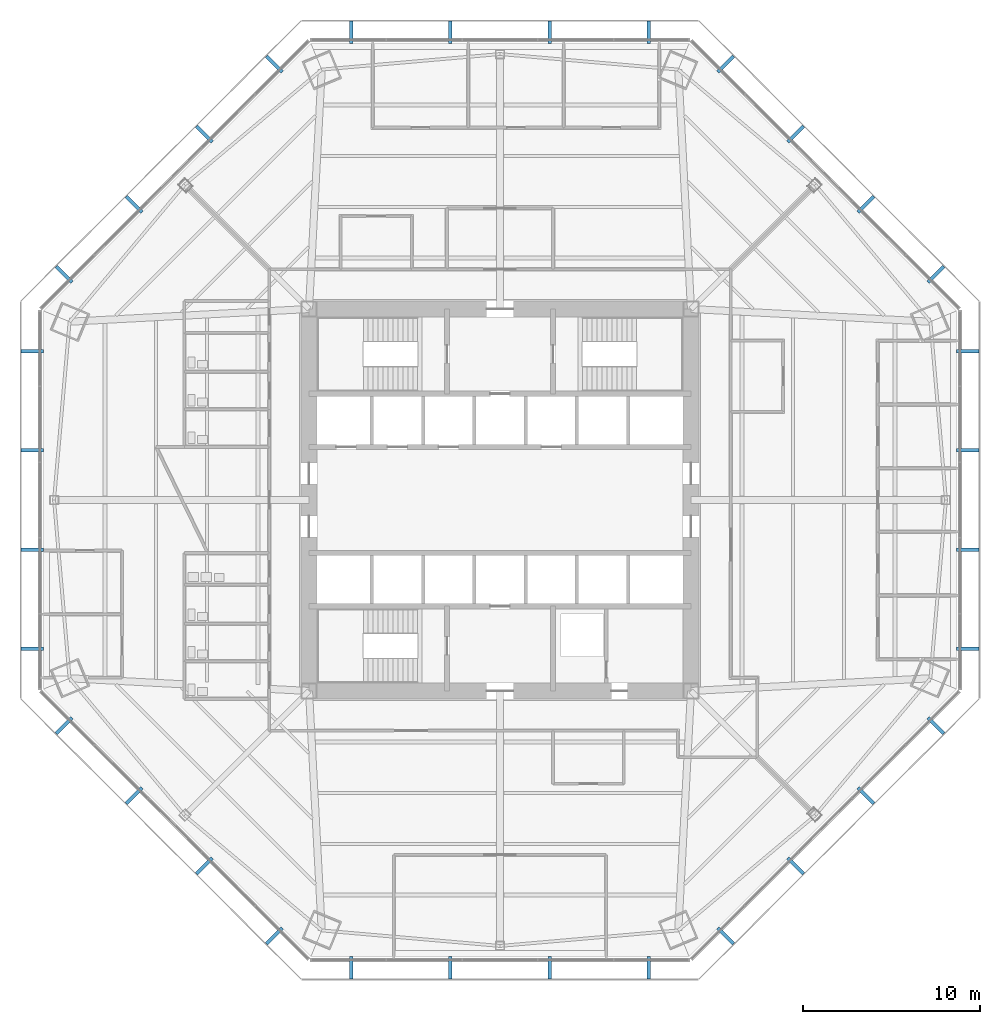
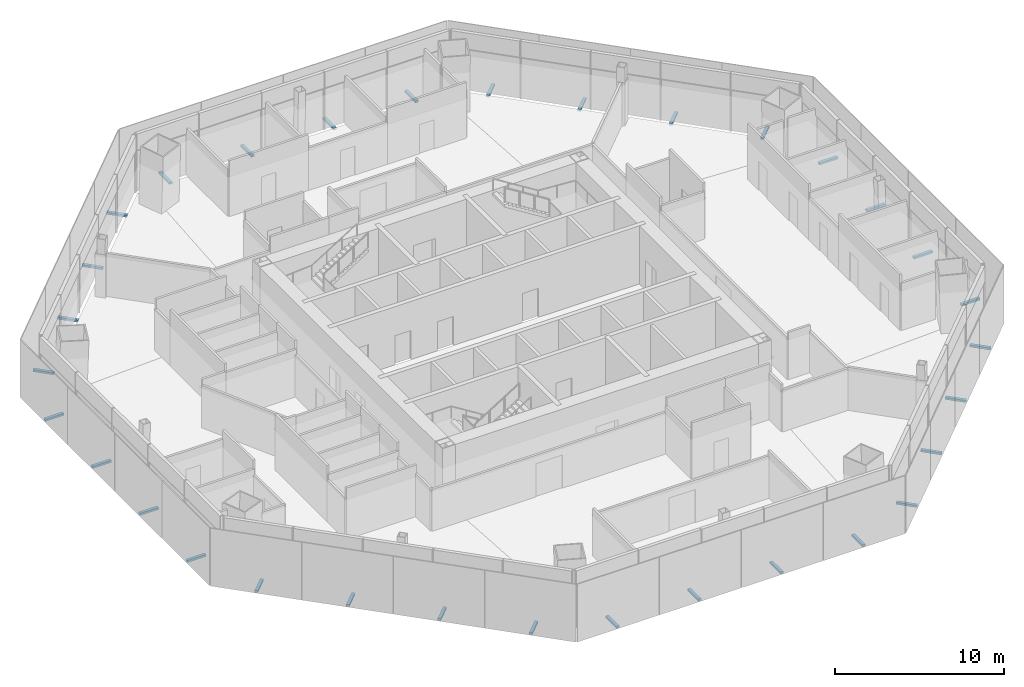
# One storey, part 12 of 15: 32 discrete accessories.
"""IFC4 building model written with IfcOpenShell, lengths in metres."""

from ifc_helpers import new_model, si_unit, direction, frame, origin, origin_2d, place, context, subcontext, project, spatial, rectangle, extrude, source, transform, mapped, material, type_object, type_shapes, element, save


model = new_model("IFC4")

# Units and contexts
model_context = context("Model", 3, precision=1e-05, world=origin(), true_north=direction((0.0, 1.0)))
body_context = subcontext(model_context, "Body", "Model", "MODEL_VIEW")
ifc_project = project(units=[si_unit("LENGTHUNIT", "METRE"), si_unit("AREAUNIT", "SQUARE_METRE"), si_unit("VOLUMEUNIT", "CUBIC_METRE"), si_unit("PLANEANGLEUNIT", "RADIAN"), si_unit("MASSUNIT", "GRAM", prefix="KILO")], contexts=[model_context])

# Site, building, storey
site_placement = place(None, origin())
site = spatial("IfcSite", under=ifc_project, at=site_placement, CompositionType="ELEMENT")
building_placement = place(site_placement, origin())
building = spatial("IfcBuilding", under=site, at=building_placement, Name="Mashrafa Tower", CompositionType="ELEMENT")
storey_placement = place(building_placement, frame((0.0, 0.0, 70.800048828125)))
storey = spatial("IfcBuildingStorey", under=building, at=storey_placement, Name="L15", CompositionType="ELEMENT", Elevation=70.800048828125)

# Discrete accessories
ifc_material = material(Name="Stainless steel screen bracket", Category="steel")
discrete_accessory_type = type_object("IfcDiscreteAccessoryType", Name="Screen support bracket 200 x 150", PredefinedType="BRACKET", material=ifc_material)
shared_shape = source(origin(), body_context, "Body", "SweptSolid", [
    extrude(rectangle(XDim=0.199951171875, YDim=1.27001953125, at=origin_2d()), origin(), (0.0, 0.0, 1.0), 0.14990234375),
])
type_shapes(discrete_accessory_type, [shared_shape])
for number, where, z_axis, x_axis, name in (
    (1, (26.44677734375, -8.40576171875, -0.14990234375), (0.0, 0.0, 1.0), (0.0, 1.0, 0.0), "Screen support bracket L15 east 1"),
    (2, (26.44677734375, -2.802001953125, -0.14990234375), (0.0, 0.0, 1.0), (0.0, 1.0, 0.0), "Screen support bracket L15 east 2"),
    (3, (26.44677734375, 2.802001953125, -0.14990234375), (0.0, 0.0, 1.0), (0.0, 1.0, 0.0), "Screen support bracket L15 east 3"),
    (4, (26.44677734375, 8.40576171875, -0.14990234375), (0.0, 0.0, 1.0), (0.0, 1.0, 0.0), "Screen support bracket L15 east 4"),
    (5, (24.64453125, 12.757080078125, -0.14990234375), (0.0, 0.0, 1.0), (-0.707106781187, 0.707106781187, 0.0), "Screen support bracket L15 north-east 1"),
    (6, (20.68212890625, 16.719482421875, -0.14990234375), (0.0, 0.0, 1.0), (-0.707106781187, 0.707106781187, 0.0), "Screen support bracket L15 north-east 2"),
    (7, (16.719482421875, 20.68212890625, -0.14990234375), (0.0, 0.0, 1.0), (-0.707106781187, 0.707106781187, 0.0), "Screen support bracket L15 north-east 3"),
    (8, (12.757080078125, 24.64453125, -0.14990234375), (0.0, 0.0, 1.0), (-0.707106781187, 0.707106781187, 0.0), "Screen support bracket L15 north-east 4"),
    (9, (8.40576171875, 26.44677734375, -0.14990234375), (0.0, 0.0, 1.0), (-1.0, 0.0, 0.0), "Screen support bracket L15 north 1"),
    (10, (2.802001953125, 26.44677734375, -0.14990234375), (0.0, 0.0, 1.0), (-1.0, 0.0, 0.0), "Screen support bracket L15 north 2"),
    (11, (-2.802001953125, 26.44677734375, -0.14990234375), (0.0, 0.0, 1.0), (-1.0, 0.0, 0.0), "Screen support bracket L15 north 3"),
    (12, (-8.40576171875, 26.44677734375, -0.14990234375), (0.0, 0.0, 1.0), (-1.0, 0.0, 0.0), "Screen support bracket L15 north 4"),
    (13, (-12.757080078125, 24.64453125, -0.14990234375), (0.0, 0.0, 1.0), (-0.707106781187, -0.707106781187, 0.0), "Screen support bracket L15 north-west 1"),
    (14, (-16.719482421875, 20.68212890625, -0.14990234375), (0.0, 0.0, 1.0), (-0.707106781187, -0.707106781187, 0.0), "Screen support bracket L15 north-west 2"),
    (15, (-20.68212890625, 16.719482421875, -0.14990234375), (0.0, 0.0, 1.0), (-0.707106781187, -0.707106781187, 0.0), "Screen support bracket L15 north-west 3"),
    (16, (-24.64453125, 12.757080078125, -0.14990234375), (0.0, 0.0, 1.0), (-0.707106781187, -0.707106781187, 0.0), "Screen support bracket L15 north-west 4"),
    (17, (-26.44677734375, 8.40576171875, -0.14990234375), (0.0, 0.0, 1.0), (0.0, -1.0, 0.0), "Screen support bracket L15 west 1"),
    (18, (-26.44677734375, 2.802001953125, -0.14990234375), (0.0, 0.0, 1.0), (0.0, -1.0, 0.0), "Screen support bracket L15 west 2"),
    (19, (-26.44677734375, -2.802001953125, -0.14990234375), (0.0, 0.0, 1.0), (0.0, -1.0, 0.0), "Screen support bracket L15 west 3"),
    (20, (-26.44677734375, -8.40576171875, -0.14990234375), (0.0, 0.0, 1.0), (0.0, -1.0, 0.0), "Screen support bracket L15 west 4"),
    (21, (-24.64453125, -12.757080078125, -0.14990234375), (0.0, 0.0, 1.0), (0.707106781187, -0.707106781187, 0.0), "Screen support bracket L15 south-west 1"),
    (22, (-20.68212890625, -16.719482421875, -0.14990234375), (0.0, 0.0, 1.0), (0.707106781187, -0.707106781187, 0.0), "Screen support bracket L15 south-west 2"),
    (23, (-16.719482421875, -20.68212890625, -0.14990234375), (0.0, 0.0, 1.0), (0.707106781187, -0.707106781187, 0.0), "Screen support bracket L15 south-west 3"),
    (24, (-12.757080078125, -24.64453125, -0.14990234375), (0.0, 0.0, 1.0), (0.707106781187, -0.707106781187, 0.0), "Screen support bracket L15 south-west 4"),
    (25, (-8.40576171875, -26.44677734375, -0.14990234375), (0.0, 0.0, 1.0), (1.0, 0.0, 0.0), "Screen support bracket L15 south 1"),
    (26, (-2.802001953125, -26.44677734375, -0.14990234375), (0.0, 0.0, 1.0), (1.0, 0.0, 0.0), "Screen support bracket L15 south 2"),
    (27, (2.802001953125, -26.44677734375, -0.14990234375), (0.0, 0.0, 1.0), (1.0, 0.0, 0.0), "Screen support bracket L15 south 3"),
    (28, (8.40576171875, -26.44677734375, -0.14990234375), (0.0, 0.0, 1.0), (1.0, 0.0, 0.0), "Screen support bracket L15 south 4"),
    (29, (12.757080078125, -24.64453125, -0.14990234375), (0.0, 0.0, 1.0), (0.707106781187, 0.707106781187, 0.0), "Screen support bracket L15 south-east 1"),
    (30, (16.719482421875, -20.68212890625, -0.14990234375), (0.0, 0.0, 1.0), (0.707106781187, 0.707106781187, 0.0), "Screen support bracket L15 south-east 2"),
    (31, (20.68212890625, -16.719482421875, -0.14990234375), (0.0, 0.0, 1.0), (0.707106781187, 0.707106781187, 0.0), "Screen support bracket L15 south-east 3"),
    (32, (24.64453125, -12.757080078125, -0.14990234375), (0.0, 0.0, 1.0), (0.707106781187, 0.707106781187, 0.0), "Screen support bracket L15 south-east 4"),
):
    element("IfcDiscreteAccessory", number, at=place(storey_placement, frame(where, z_axis=z_axis, x_axis=x_axis)), inside=storey, type_object=discrete_accessory_type, Name=name, PredefinedType="BRACKET", context=body_context, shape_type="MappedRepresentation", body=[
        mapped(shared_shape, transform((0.0, 0.0, 0.0))),
    ])

save(model, "model.ifc")
